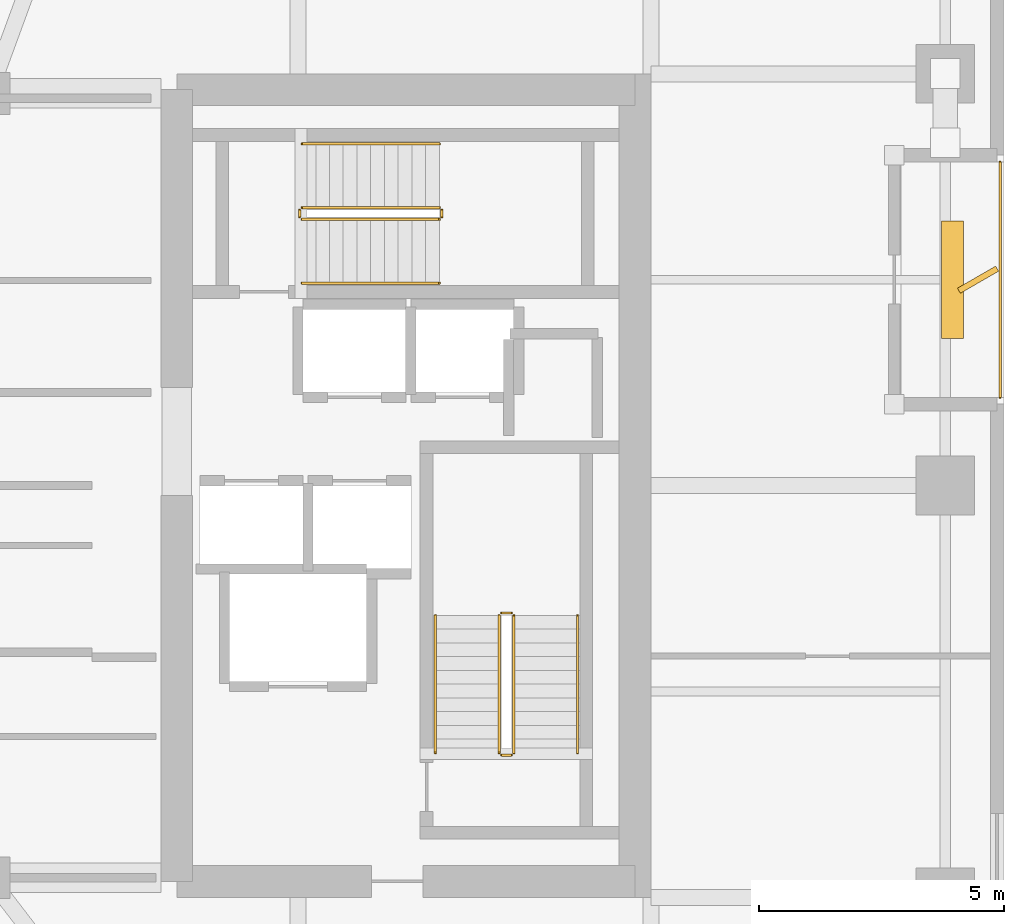
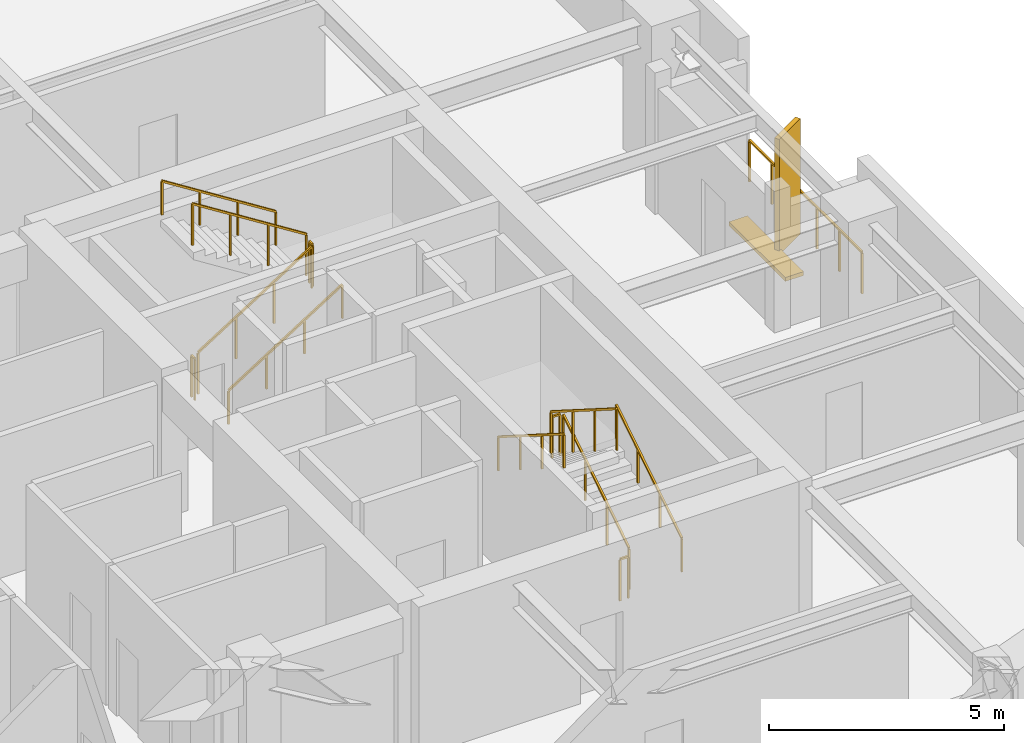
# One storey, part 20 of 21: 13 railings, 2 shading devices.
"""IFC4 building model written with IfcOpenShell, lengths in metres."""

from ifc_helpers import new_model, si_unit, direction, frame, origin, origin_2d, place, context, subcontext, project, spatial, rectangle, extrude, material, type_object, element, save


model = new_model("IFC4")

# Units and contexts
model_context = context("Model", 3, precision=1e-05, world=origin(), true_north=direction((0.0, 1.0)))
body_context = subcontext(model_context, "Body", "Model", "MODEL_VIEW")
ifc_project = project(units=[si_unit("LENGTHUNIT", "METRE"), si_unit("AREAUNIT", "SQUARE_METRE"), si_unit("VOLUMEUNIT", "CUBIC_METRE"), si_unit("PLANEANGLEUNIT", "RADIAN"), si_unit("MASSUNIT", "GRAM", prefix="KILO")], contexts=[model_context])

# Site, building, storey
site_placement = place(None, origin())
site = spatial("IfcSite", under=ifc_project, at=site_placement, CompositionType="ELEMENT")
building_placement = place(site_placement, origin())
building = spatial("IfcBuilding", under=site, at=building_placement, Name="Kiyonajd Concourse Tower", CompositionType="ELEMENT")
storey_placement = place(building_placement, frame((0.0, 0.0, 223.199951171875)))
storey = spatial("IfcBuildingStorey", under=building, at=storey_placement, Name="L56", CompositionType="ELEMENT", Elevation=223.199951171875)

# Railings
ifc_material_1 = material(Name="Thermally Broken Anodised Aluminium", Category="aluminium")
railing_type_1 = type_object("IfcRailingType", Name="RL-GRD-LOG", PredefinedType="GUARDRAIL", material=ifc_material_1)
railing_1_placement = place(storey_placement, frame((70.719970703125, 37.800048828125, 0.0)))
element("IfcRailing", 1, at=railing_1_placement, inside=storey, type_object=railing_type_1, Name="L56 Engawa Loggia Perimeter Guard LOG-E", PredefinedType="GUARDRAIL", context=body_context, shape_type="SweptSolid", body=[
    extrude(rectangle(XDim=0.048095703125, YDim=0.048095703125, at=origin_2d()), frame((0.0, 0.0, 1.076171875), z_axis=(0.0, 1.0, 0.0), x_axis=(-1.0, 0.0, 0.0)), (0.0, 0.0, 1.0), 4.800048828125),
    extrude(rectangle(XDim=0.0419921875, YDim=0.0419921875, at=origin_2d()), origin(), (0.0, 0.0, 1.0), 1.052001953125),
    extrude(rectangle(XDim=0.0419921875, YDim=0.0419921875, at=origin_2d()), frame((0.0, 0.9599609375, 0.0)), (0.0, 0.0, 1.0), 1.052001953125),
    extrude(rectangle(XDim=0.0419921875, YDim=0.0419921875, at=origin_2d()), frame((0.0, 1.919921875, 0.0)), (0.0, 0.0, 1.0), 1.052001953125),
    extrude(rectangle(XDim=0.0419921875, YDim=0.0419921875, at=origin_2d()), frame((0.0, 2.880126953125, 0.0)), (0.0, 0.0, 1.0), 1.052001953125),
    extrude(rectangle(XDim=0.0419921875, YDim=0.0419921875, at=origin_2d()), frame((0.0, 3.840087890625, 0.0)), (0.0, 0.0, 1.0), 1.052001953125),
    extrude(rectangle(XDim=0.0419921875, YDim=0.0419921875, at=origin_2d()), frame((0.0, 4.800048828125, 0.0)), (0.0, 0.0, 1.0), 1.052001953125),
])
ifc_material_2 = material(Name="Steel ASTM A500 Grade C", Category="steel")
railing_type_2 = type_object("IfcRailingType", Name="RL-GRD-STR", PredefinedType="GUARDRAIL", material=ifc_material_2)
railing_2_placement = place(storey_placement, frame((60.800048828125, 30.550048828125, 0.17724609375)))
element("IfcRailing", 2, at=railing_2_placement, inside=storey, type_object=railing_type_2, Name="L56 ST2 stair guard 1", PredefinedType="GUARDRAIL", context=body_context, shape_type="SweptSolid", body=[
    extrude(rectangle(XDim=0.048095703125, YDim=0.048095703125, at=origin_2d()), frame((0.0, 0.0, 1.076171875), z_axis=(0.0, 0.844908973607, 0.534910110503), x_axis=(-1.0, 0.0, 0.0)), (0.0, 0.0, 1.0), 3.31396484375),
    extrude(rectangle(XDim=0.0419921875, YDim=0.0419921875, at=origin_2d()), origin(), (0.0, 0.0, 1.0), 1.052001953125),
    extrude(rectangle(XDim=0.0419921875, YDim=0.0419921875, at=origin_2d()), frame((0.0, 0.933349609375, 0.5908203125)), (0.0, 0.0, 1.0), 1.052001953125),
    extrude(rectangle(XDim=0.0419921875, YDim=0.0419921875, at=origin_2d()), frame((0.0, 1.86669921875, 1.181884765625)), (0.0, 0.0, 1.0), 1.052001953125),
    extrude(rectangle(XDim=0.0419921875, YDim=0.0419921875, at=origin_2d()), frame((0.0, 2.800048828125, 1.772705078125)), (0.0, 0.0, 1.0), 1.052001953125),
])
railing_3_placement = place(storey_placement, frame((60.75, 33.39990234375, 1.949951171875)))
element("IfcRailing", 3, at=railing_3_placement, inside=storey, type_object=railing_type_2, Name="L56 ST2 stair guard 2", PredefinedType="GUARDRAIL", context=body_context, shape_type="SweptSolid", body=[
    extrude(rectangle(XDim=0.048095703125, YDim=0.048095703125, at=origin_2d()), frame((0.0, 0.0, 1.076171875), z_axis=(-1.0, 0.0, 0.0), x_axis=(0.0, -1.0, 0.0)), (0.0, 0.0, 1.0), 0.199951171875),
    extrude(rectangle(XDim=0.0419921875, YDim=0.0419921875, at=origin_2d()), origin(), (0.0, 0.0, 1.0), 1.052001953125),
    extrude(rectangle(XDim=0.0419921875, YDim=0.0419921875, at=origin_2d()), frame((-0.199951171875, 0.0, 0.0)), (0.0, 0.0, 1.0), 1.052001953125),
])
railing_4_placement = place(storey_placement, frame((60.5, 33.35009765625, 2.12744140625)))
element("IfcRailing", 4, at=railing_4_placement, inside=storey, type_object=railing_type_2, Name="L56 ST2 stair guard 3", PredefinedType="GUARDRAIL", context=body_context, shape_type="SweptSolid", body=[
    extrude(rectangle(XDim=0.048095703125, YDim=0.048095703125, at=origin_2d()), frame((0.0, 0.0, 1.076171875), z_axis=(0.0, -0.844908973607, 0.534910110503), x_axis=(1.0, 0.0, 0.0)), (0.0, 0.0, 1.0), 3.31396484375),
    extrude(rectangle(XDim=0.0419921875, YDim=0.0419921875, at=origin_2d()), origin(), (0.0, 0.0, 1.0), 1.052001953125),
    extrude(rectangle(XDim=0.0419921875, YDim=0.0419921875, at=origin_2d()), frame((0.0, -0.933349609375, 0.5908203125)), (0.0, 0.0, 1.0), 1.052001953125),
    extrude(rectangle(XDim=0.0419921875, YDim=0.0419921875, at=origin_2d()), frame((0.0, -1.86669921875, 1.181884765625)), (0.0, 0.0, 1.0), 1.052001953125),
    extrude(rectangle(XDim=0.0419921875, YDim=0.0419921875, at=origin_2d()), frame((0.0, -2.800048828125, 1.772705078125)), (0.0, 0.0, 1.0), 1.052001953125),
])
railing_5_placement = place(storey_placement, frame((60.75, 30.5, 0.0)))
element("IfcRailing", 5, at=railing_5_placement, inside=storey, type_object=railing_type_2, Name="L56 ST2 stair guard 4", PredefinedType="GUARDRAIL", context=body_context, shape_type="SweptSolid", body=[
    extrude(rectangle(XDim=0.048095703125, YDim=0.048095703125, at=origin_2d()), frame((0.0, 0.0, 1.076171875), z_axis=(-1.0, 0.0, 0.0), x_axis=(0.0, -1.0, 0.0)), (0.0, 0.0, 1.0), 0.199951171875),
    extrude(rectangle(XDim=0.0419921875, YDim=0.0419921875, at=origin_2d()), origin(), (0.0, 0.0, 1.0), 1.052001953125),
    extrude(rectangle(XDim=0.0419921875, YDim=0.0419921875, at=origin_2d()), frame((-0.199951171875, 0.0, 0.0)), (0.0, 0.0, 1.0), 1.052001953125),
])
railing_6_placement = place(storey_placement, frame((56.47998046875, 41.429931640625, 0.17724609375)))
element("IfcRailing", 6, at=railing_6_placement, inside=storey, type_object=railing_type_2, Name="L56 ST3 stair guard 1", PredefinedType="GUARDRAIL", context=body_context, shape_type="SweptSolid", body=[
    extrude(rectangle(XDim=0.048095703125, YDim=0.048095703125, at=origin_2d()), frame((0.0, 0.0, 1.076171875), z_axis=(0.844908973607, 0.0, 0.534910110503), x_axis=(0.0, 1.0, 0.0)), (0.0, 0.0, 1.0), 3.31396484375),
    extrude(rectangle(XDim=0.0419921875, YDim=0.0419921875, at=origin_2d()), origin(), (0.0, 0.0, 1.0), 1.052001953125),
    extrude(rectangle(XDim=0.0419921875, YDim=0.0419921875, at=origin_2d()), frame((0.933349609375, 0.0, 0.5908203125)), (0.0, 0.0, 1.0), 1.052001953125),
    extrude(rectangle(XDim=0.0419921875, YDim=0.0419921875, at=origin_2d()), frame((1.86669921875, 0.0, 1.181884765625)), (0.0, 0.0, 1.0), 1.052001953125),
    extrude(rectangle(XDim=0.0419921875, YDim=0.0419921875, at=origin_2d()), frame((2.800048828125, 0.0, 1.772705078125)), (0.0, 0.0, 1.0), 1.052001953125),
])
railing_7_placement = place(storey_placement, frame((59.330078125, 41.47998046875, 1.949951171875)))
element("IfcRailing", 7, at=railing_7_placement, inside=storey, type_object=railing_type_2, Name="L56 ST3 stair guard 2", PredefinedType="GUARDRAIL", context=body_context, shape_type="SweptSolid", body=[
    extrude(rectangle(XDim=0.048095703125, YDim=0.048095703125, at=origin_2d()), frame((0.0, 0.0, 1.076171875), z_axis=(0.0, 1.0, 0.0), x_axis=(-1.0, 0.0, 0.0)), (0.0, 0.0, 1.0), 0.14013671875),
    extrude(rectangle(XDim=0.0419921875, YDim=0.0419921875, at=origin_2d()), origin(), (0.0, 0.0, 1.0), 1.052001953125),
    extrude(rectangle(XDim=0.0419921875, YDim=0.0419921875, at=origin_2d()), frame((0.0, 0.14013671875, 0.0)), (0.0, 0.0, 1.0), 1.052001953125),
])
railing_8_placement = place(storey_placement, frame((59.280029296875, 41.669921875, 2.12744140625)))
element("IfcRailing", 8, at=railing_8_placement, inside=storey, type_object=railing_type_2, Name="L56 ST3 stair guard 3", PredefinedType="GUARDRAIL", context=body_context, shape_type="SweptSolid", body=[
    extrude(rectangle(XDim=0.048095703125, YDim=0.048095703125, at=origin_2d()), frame((0.0, 0.0, 1.076171875), z_axis=(-0.844908973607, 0.0, 0.534910110503), x_axis=(0.0, -1.0, 0.0)), (0.0, 0.0, 1.0), 3.31396484375),
    extrude(rectangle(XDim=0.0419921875, YDim=0.0419921875, at=origin_2d()), origin(), (0.0, 0.0, 1.0), 1.052001953125),
    extrude(rectangle(XDim=0.0419921875, YDim=0.0419921875, at=origin_2d()), frame((-0.933349609375, 0.0, 0.5908203125)), (0.0, 0.0, 1.0), 1.052001953125),
    extrude(rectangle(XDim=0.0419921875, YDim=0.0419921875, at=origin_2d()), frame((-1.86669921875, 0.0, 1.181884765625)), (0.0, 0.0, 1.0), 1.052001953125),
    extrude(rectangle(XDim=0.0419921875, YDim=0.0419921875, at=origin_2d()), frame((-2.800048828125, 0.0, 1.772705078125)), (0.0, 0.0, 1.0), 1.052001953125),
])
railing_9_placement = place(storey_placement, frame((56.429931640625, 41.47998046875, 0.0)))
element("IfcRailing", 9, at=railing_9_placement, inside=storey, type_object=railing_type_2, Name="L56 ST3 stair guard 4", PredefinedType="GUARDRAIL", context=body_context, shape_type="SweptSolid", body=[
    extrude(rectangle(XDim=0.048095703125, YDim=0.048095703125, at=origin_2d()), frame((0.0, 0.0, 1.076171875), z_axis=(0.0, 1.0, 0.0), x_axis=(-1.0, 0.0, 0.0)), (0.0, 0.0, 1.0), 0.14013671875),
    extrude(rectangle(XDim=0.0419921875, YDim=0.0419921875, at=origin_2d()), origin(), (0.0, 0.0, 1.0), 1.052001953125),
    extrude(rectangle(XDim=0.0419921875, YDim=0.0419921875, at=origin_2d()), frame((0.0, 0.14013671875, 0.0)), (0.0, 0.0, 1.0), 1.052001953125),
])
ifc_material_3 = material(Name="Brushed Stainless Steel Cab Assembly", Category="steel")
railing_type_3 = type_object("IfcRailingType", Name="RL-HND-900", PredefinedType="HANDRAIL", material=ifc_material_3)
railing_10_placement = place(storey_placement, frame((62.10009765625, 30.550048828125, 0.17724609375)))
element("IfcRailing", 10, at=railing_10_placement, inside=storey, type_object=railing_type_3, Name="L56 ST2 stair handrail 1", PredefinedType="HANDRAIL", context=body_context, shape_type="SweptSolid", body=[
    extrude(rectangle(XDim=0.048095703125, YDim=0.048095703125, at=origin_2d()), frame((0.0, 0.0, 0.8759765625), z_axis=(0.0, 0.844908973607, 0.534910110503), x_axis=(-1.0, 0.0, 0.0)), (0.0, 0.0, 1.0), 3.31396484375),
    extrude(rectangle(XDim=0.0419921875, YDim=0.0419921875, at=origin_2d()), origin(), (0.0, 0.0, 1.0), 0.851806640625),
    extrude(rectangle(XDim=0.0419921875, YDim=0.0419921875, at=origin_2d()), frame((0.0, 0.933349609375, 0.5908203125)), (0.0, 0.0, 1.0), 0.851806640625),
    extrude(rectangle(XDim=0.0419921875, YDim=0.0419921875, at=origin_2d()), frame((0.0, 1.86669921875, 1.181884765625)), (0.0, 0.0, 1.0), 0.851806640625),
    extrude(rectangle(XDim=0.0419921875, YDim=0.0419921875, at=origin_2d()), frame((0.0, 2.800048828125, 1.772705078125)), (0.0, 0.0, 1.0), 0.851806640625),
])
railing_11_placement = place(storey_placement, frame((59.199951171875, 33.35009765625, 2.12744140625)))
element("IfcRailing", 11, at=railing_11_placement, inside=storey, type_object=railing_type_3, Name="L56 ST2 stair handrail 2", PredefinedType="HANDRAIL", context=body_context, shape_type="SweptSolid", body=[
    extrude(rectangle(XDim=0.048095703125, YDim=0.048095703125, at=origin_2d()), frame((0.0, 0.0, 0.8759765625), z_axis=(0.0, -0.844908973607, 0.534910110503), x_axis=(1.0, 0.0, 0.0)), (0.0, 0.0, 1.0), 3.31396484375),
    extrude(rectangle(XDim=0.0419921875, YDim=0.0419921875, at=origin_2d()), origin(), (0.0, 0.0, 1.0), 0.851806640625),
    extrude(rectangle(XDim=0.0419921875, YDim=0.0419921875, at=origin_2d()), frame((0.0, -0.933349609375, 0.5908203125)), (0.0, 0.0, 1.0), 0.851806640625),
    extrude(rectangle(XDim=0.0419921875, YDim=0.0419921875, at=origin_2d()), frame((0.0, -1.86669921875, 1.181884765625)), (0.0, 0.0, 1.0), 0.851806640625),
    extrude(rectangle(XDim=0.0419921875, YDim=0.0419921875, at=origin_2d()), frame((0.0, -2.800048828125, 1.772705078125)), (0.0, 0.0, 1.0), 0.851806640625),
])
railing_12_placement = place(storey_placement, frame((56.47998046875, 40.1298828125, 0.17724609375)))
element("IfcRailing", 12, at=railing_12_placement, inside=storey, type_object=railing_type_3, Name="L56 ST3 stair handrail 1", PredefinedType="HANDRAIL", context=body_context, shape_type="SweptSolid", body=[
    extrude(rectangle(XDim=0.048095703125, YDim=0.048095703125, at=origin_2d()), frame((0.0, 0.0, 0.8759765625), z_axis=(0.844908973607, 0.0, 0.534910110503), x_axis=(0.0, 1.0, 0.0)), (0.0, 0.0, 1.0), 3.31396484375),
    extrude(rectangle(XDim=0.0419921875, YDim=0.0419921875, at=origin_2d()), origin(), (0.0, 0.0, 1.0), 0.851806640625),
    extrude(rectangle(XDim=0.0419921875, YDim=0.0419921875, at=origin_2d()), frame((0.933349609375, 0.0, 0.5908203125)), (0.0, 0.0, 1.0), 0.851806640625),
    extrude(rectangle(XDim=0.0419921875, YDim=0.0419921875, at=origin_2d()), frame((1.86669921875, 0.0, 1.181884765625)), (0.0, 0.0, 1.0), 0.851806640625),
    extrude(rectangle(XDim=0.0419921875, YDim=0.0419921875, at=origin_2d()), frame((2.800048828125, 0.0, 1.772705078125)), (0.0, 0.0, 1.0), 0.851806640625),
])
railing_13_placement = place(storey_placement, frame((59.280029296875, 42.969970703125, 2.12744140625)))
element("IfcRailing", 13, at=railing_13_placement, inside=storey, type_object=railing_type_3, Name="L56 ST3 stair handrail 2", PredefinedType="HANDRAIL", context=body_context, shape_type="SweptSolid", body=[
    extrude(rectangle(XDim=0.048095703125, YDim=0.048095703125, at=origin_2d()), frame((0.0, 0.0, 0.8759765625), z_axis=(-0.844908973607, 0.0, 0.534910110503), x_axis=(0.0, -1.0, 0.0)), (0.0, 0.0, 1.0), 3.31396484375),
    extrude(rectangle(XDim=0.0419921875, YDim=0.0419921875, at=origin_2d()), origin(), (0.0, 0.0, 1.0), 0.851806640625),
    extrude(rectangle(XDim=0.0419921875, YDim=0.0419921875, at=origin_2d()), frame((-0.933349609375, 0.0, 0.5908203125)), (0.0, 0.0, 1.0), 0.851806640625),
    extrude(rectangle(XDim=0.0419921875, YDim=0.0419921875, at=origin_2d()), frame((-1.86669921875, 0.0, 1.181884765625)), (0.0, 0.0, 1.0), 0.851806640625),
    extrude(rectangle(XDim=0.0419921875, YDim=0.0419921875, at=origin_2d()), frame((-2.800048828125, 0.0, 1.772705078125)), (0.0, 0.0, 1.0), 0.851806640625),
])

# Shading devices
ifc_material_4 = material(Name="Precast concrete C50/60", Category="concrete")
shading_device_type_1 = type_object("IfcShadingDeviceType", Name="SH-FIN-900", PredefinedType="USERDEFINED", material=ifc_material_4)
shading_device_1_placement = place(storey_placement, frame((70.27001953125, 40.199951171875, 0.0), z_axis=(0.0, 0.0, 1.0), x_axis=(0.866025403784, 0.5, 0.0)))
element("IfcShadingDevice", 14, at=shading_device_1_placement, inside=storey, type_object=shading_device_type_1, Name="L56 Angled Koshi Solar Fin LOG-E", ObjectType="FIN", PredefinedType="USERDEFINED", context=body_context, shape_type="SweptSolid", body=[
    extrude(rectangle(XDim=0.89990234375, YDim=0.1201171875, at=origin_2d()), origin(), (0.0, 0.0, 1.0), 3.0),
])
shading_device_type_2 = type_object("IfcShadingDeviceType", Name="SH-LVR-600", PredefinedType="JALOUSIE", material=ifc_material_1)
shading_device_2_placement = place(storey_placement, frame((69.75, 40.199951171875, 0.0), z_axis=(0.0, 0.0, 1.0), x_axis=(0.0, 1.0, 0.0)))
element("IfcShadingDevice", 15, at=shading_device_2_placement, inside=storey, type_object=shading_device_type_2, Name="L56 Loggia Threshold Louver LOG-E", PredefinedType="JALOUSIE", context=body_context, shape_type="SweptSolid", body=[
    extrude(rectangle(XDim=2.39990234375, YDim=0.449951171875, at=origin_2d()), origin(), (0.0, 0.0, 1.0), 0.10009765625),
])

save(model, "model.ifc")
